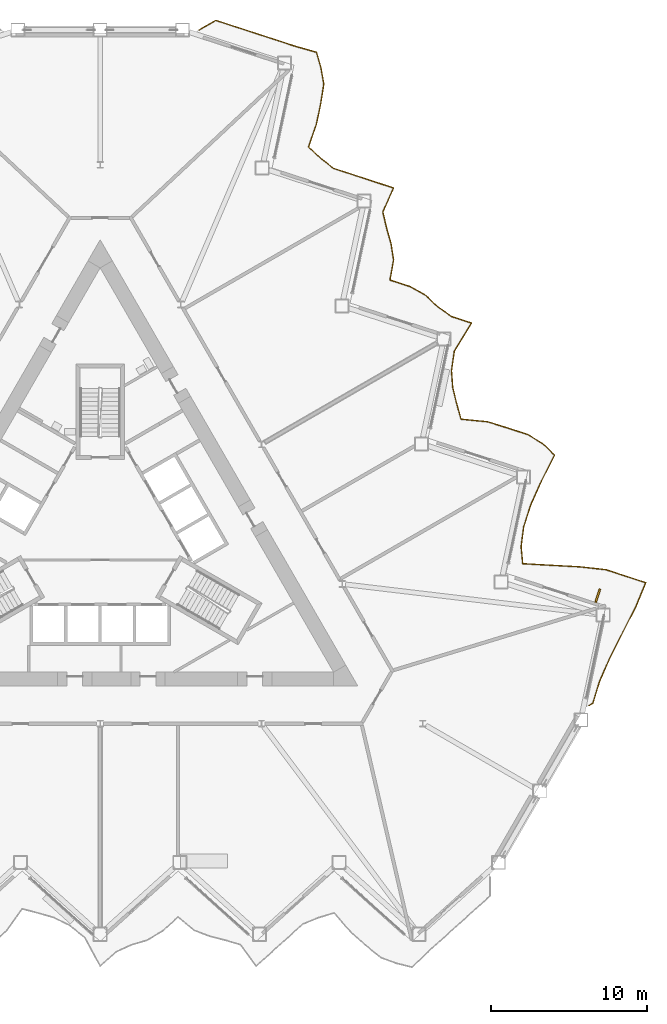
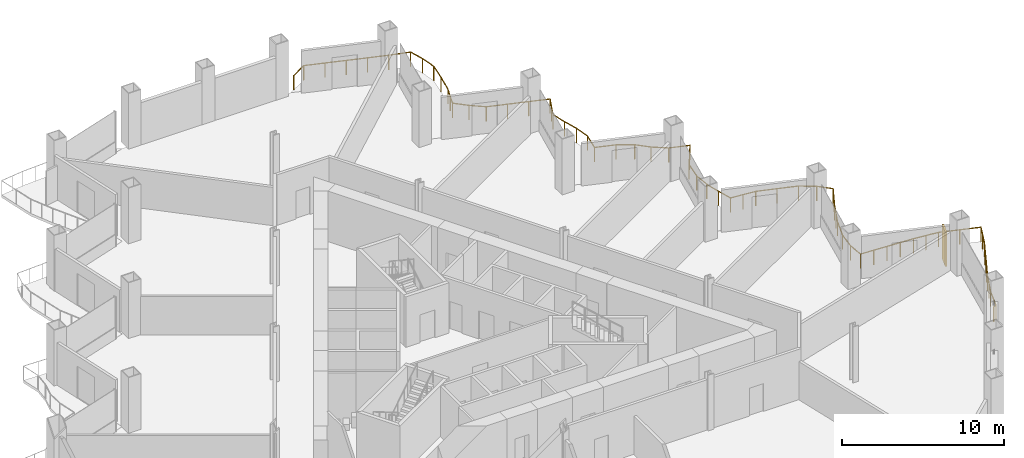
# One storey, part 19 of 21: 1 railing, 1 shading device.
"""IFC4 building model written with IfcOpenShell, lengths in metres."""

from ifc_helpers import new_model, si_unit, direction, frame, origin, origin_2d, place, context, subcontext, project, spatial, rectangle, circle, extrude, material, layer, layer_set, type_object, element, save


model = new_model("IFC4")

# Units and contexts
model_context = context("Model", 3, precision=1e-05, world=origin(), true_north=direction((0.0, 1.0)))
body_context = subcontext(model_context, "Body", "Model", "MODEL_VIEW")
ifc_project = project(units=[si_unit("LENGTHUNIT", "METRE"), si_unit("AREAUNIT", "SQUARE_METRE"), si_unit("VOLUMEUNIT", "CUBIC_METRE"), si_unit("PLANEANGLEUNIT", "RADIAN"), si_unit("MASSUNIT", "GRAM", prefix="KILO")], contexts=[model_context])

# Site, building, storey
site_placement = place(None, origin())
site = spatial("IfcSite", under=ifc_project, at=site_placement, CompositionType="ELEMENT")
building_placement = place(site_placement, origin())
building = spatial("IfcBuilding", under=site, at=building_placement, Name="Cormorant Prow Tower", CompositionType="ELEMENT")
storey_placement = place(building_placement, frame((0.0, 0.0, 108.0)))
storey = spatial("IfcBuildingStorey", under=building, at=storey_placement, Name="L22", CompositionType="ELEMENT", Elevation=108.0)

# Railing
ifc_material_1 = material(Name="Aluminium 6063-T6", Category="aluminium")
railing_type = type_object("IfcRailingType", Name="Balcony guard 1100", PredefinedType="GUARDRAIL", material=ifc_material_1)
railing_placement = place(storey_placement, frame((31.3046875, -10.75146484375, 0.0)))
element("IfcRailing", 1, at=railing_placement, inside=storey, type_object=railing_type, Name="Balcony guard ENE", PredefinedType="GUARDRAIL", context=body_context, shape_type="SweptSolid", body=[
    extrude(circle(Radius=0.02392578125, at=origin_2d()), frame((0.0, 0.0, 1.076171875), z_axis=(0.866065156741, 0.499931139538, 0.0), x_axis=(-0.499931139538, 0.866065156741, 0.0)), (0.0, 0.0, 1.0), 0.27001953125),
    extrude(circle(Radius=0.02392578125, at=origin_2d()), frame((0.23388671875, 0.135009765625, 1.076171875), z_axis=(0.291586651415, 0.95654441858, 0.0), x_axis=(-0.95654441858, 0.291586651415, 0.0)), (0.0, 0.0, 1.0), 1.462646484375),
    extrude(circle(Radius=0.02392578125, at=origin_2d()), frame((0.660400390625, 1.5341796875, 1.076171875), z_axis=(0.402985551478, 0.915206340286, 0.0), x_axis=(-0.915206340286, 0.402985551478, 0.0)), (0.0, 0.0, 1.0), 1.689697265625),
    extrude(circle(Radius=0.02392578125, at=origin_2d()), frame((1.34130859375, 3.08056640625, 1.076171875), z_axis=(0.452229833988, 0.891901439203, 0.0), x_axis=(-0.891901439203, 0.452229833988, 0.0)), (0.0, 0.0, 1.0), 1.827392578125),
    extrude(circle(Radius=0.02392578125, at=origin_2d()), frame((2.167724609375, 4.71044921875, 1.076171875), z_axis=(0.450957610167, 0.892545367941, 0.0), x_axis=(-0.892545367941, 0.450957610167, 0.0)), (0.0, 0.0, 1.0), 1.823974609375),
    extrude(circle(Radius=0.02392578125, at=origin_2d()), frame((2.990234375, 6.33837890625, 1.076171875), z_axis=(0.384509967116, 0.923120839971, 0.0), x_axis=(-0.923120839971, 0.384509967116, 0.0)), (0.0, 0.0, 1.0), 1.64453125),
    extrude(circle(Radius=0.02392578125, at=origin_2d()), frame((3.62255859375, 7.8564453125, 1.076171875), z_axis=(-0.951036739297, 0.309077855091, 0.0), x_axis=(-0.309077855091, -0.951036739297, 0.0)), (0.0, 0.0, 1.0), 1.343505859375),
    extrude(circle(Radius=0.02392578125, at=origin_2d()), frame((2.3447265625, 8.271728515625, 1.076171875), z_axis=(-0.951054092785, 0.309024453071, 0.0), x_axis=(-0.309024453071, -0.951054092785, 0.0)), (0.0, 0.0, 1.0), 1.34375),
    extrude(circle(Radius=0.02392578125, at=origin_2d()), frame((1.066650390625, 8.68701171875, 1.076171875), z_axis=(-0.993962910713, 0.109716599144, 0.0), x_axis=(-0.109716599144, -0.993962910713, 0.0)), (0.0, 0.0, 1.0), 1.686767578125),
    extrude(circle(Radius=0.02392578125, at=origin_2d()), frame((-0.60986328125, 8.8720703125, 1.076171875), z_axis=(-0.998583356738, 0.053209770211, 0.0), x_axis=(-0.053209770211, -0.998583356738, 0.0)), (0.0, 0.0, 1.0), 1.830810546875),
    extrude(circle(Radius=0.02392578125, at=origin_2d()), frame((-2.43798828125, 8.969482421875, 1.076171875), z_axis=(-0.998366091423, 0.057141469158, 0.0), x_axis=(-0.057141469158, -0.998366091423, 0.0)), (0.0, 0.0, 1.0), 1.820068359375),
    extrude(circle(Radius=0.02392578125, at=origin_2d()), frame((-4.255126953125, 9.073486328125, 1.076171875), z_axis=(-0.093340708693, 0.995634226059, 0.0), x_axis=(-0.995634226059, -0.093340708693, 0.0)), (0.0, 0.0, 1.0), 1.0986328125),
    extrude(circle(Radius=0.02392578125, at=origin_2d()), frame((-4.357666015625, 10.167236328125, 1.076171875), z_axis=(0.126668548306, 0.991945098718, 0.0), x_axis=(-0.991945098718, 0.126668548306, 0.0)), (0.0, 0.0, 1.0), 1.254638671875),
    extrude(circle(Radius=0.02392578125, at=origin_2d()), frame((-4.19873046875, 11.411865234375, 1.076171875), z_axis=(0.304912900692, 0.952380240761, 0.0), x_axis=(-0.952380240761, 0.304912900692, 0.0)), (0.0, 0.0, 1.0), 1.4853515625),
    extrude(circle(Radius=0.02392578125, at=origin_2d()), frame((-3.745849609375, 12.826416015625, 1.076171875), z_axis=(0.409995981675, 0.91208732861, 0.0), x_axis=(-0.91208732861, 0.409995981675, 0.0)), (0.0, 0.0, 1.0), 1.707275390625),
    extrude(circle(Radius=0.02392578125, at=origin_2d()), frame((-3.0458984375, 14.383544921875, 1.076171875), z_axis=(0.453965678314, 0.891019170901, 0.0), x_axis=(-0.891019170901, 0.453965678314, 0.0)), (0.0, 0.0, 1.0), 1.833251953125),
    extrude(circle(Radius=0.02392578125, at=origin_2d()), frame((-2.213623046875, 16.01708984375, 1.076171875), z_axis=(-0.716108936136, 0.69798853256, 0.0), x_axis=(-0.69798853256, -0.716108936136, 0.0)), (0.0, 0.0, 1.0), 1.037353515625),
    extrude(circle(Radius=0.02392578125, at=origin_2d()), frame((-2.95654296875, 16.7412109375, 1.076171875), z_axis=(-0.852968410434, 0.521962537737, 0.0), x_axis=(-0.521962537737, -0.852968410434, 0.0)), (0.0, 0.0, 1.0), 1.13671875),
    extrude(circle(Radius=0.02392578125, at=origin_2d()), frame((-3.926025390625, 17.33447265625, 1.076171875), z_axis=(-0.951036739297, 0.309077855091, 0.0), x_axis=(-0.309077855091, -0.951036739297, 0.0)), (0.0, 0.0, 1.0), 1.343505859375),
    extrude(circle(Radius=0.02392578125, at=origin_2d()), frame((-5.203857421875, 17.749755859375, 1.076171875), z_axis=(-0.954200907725, 0.29916655511, 0.0), x_axis=(-0.29916655511, -0.954200907725, 0.0)), (0.0, 0.0, 1.0), 1.356201171875),
    extrude(circle(Radius=0.02392578125, at=origin_2d()), frame((-6.498046875, 18.155517578125, 1.076171875), z_axis=(-0.995238003396, 0.097474697216, 0.0), x_axis=(-0.097474697216, -0.995238003396, 0.0)), (0.0, 0.0, 1.0), 1.715576171875),
    extrude(circle(Radius=0.02392578125, at=origin_2d()), frame((-8.20556640625, 18.32275390625, 1.076171875), z_axis=(-0.267802620722, 0.963473796392, 0.0), x_axis=(-0.963473796392, -0.267802620722, 0.0)), (0.0, 0.0, 1.0), 1.031005859375),
    extrude(circle(Radius=0.02392578125, at=origin_2d()), frame((-8.481689453125, 19.316162109375, 1.076171875), z_axis=(-0.241816729788, 0.970321941005, 0.0), x_axis=(-0.970321941005, -0.241816729788, 0.0)), (0.0, 0.0, 1.0), 1.038818359375),
    extrude(circle(Radius=0.02392578125, at=origin_2d()), frame((-8.73291015625, 20.32421875, 1.076171875), z_axis=(-0.073750047169, 0.997276757246, 0.0), x_axis=(-0.997276757246, -0.073750047169, 0.0)), (0.0, 0.0, 1.0), 1.10888671875),
    extrude(circle(Radius=0.02392578125, at=origin_2d()), frame((-8.814697265625, 21.43017578125, 1.076171875), z_axis=(0.14587475926, 0.989303065097, 0.0), x_axis=(-0.989303065097, 0.14587475926, 0.0)), (0.0, 0.0, 1.0), 1.273681640625),
    extrude(circle(Radius=0.02392578125, at=origin_2d()), frame((-8.62890625, 22.690185546875, 1.076171875), z_axis=(0.523271935996, 0.85216575911, 0.0), x_axis=(-0.85216575911, 0.523271935996, 0.0)), (0.0, 0.0, 1.0), 2.09619140625),
    extrude(circle(Radius=0.02392578125, at=origin_2d()), frame((-7.531982421875, 24.4765625, 1.076171875), z_axis=(-0.951036739297, 0.309077855091, 0.0), x_axis=(-0.309077855091, -0.951036739297, 0.0)), (0.0, 0.0, 1.0), 1.343505859375),
    extrude(circle(Radius=0.02392578125, at=origin_2d()), frame((-8.809814453125, 24.891845703125, 1.076171875), z_axis=(-0.817686528854, 0.575663739114, 0.0), x_axis=(-0.575663739114, -0.817686528854, 0.0)), (0.0, 0.0, 1.0), 1.1005859375),
    extrude(circle(Radius=0.02392578125, at=origin_2d()), frame((-9.709716796875, 25.525390625, 1.076171875), z_axis=(-0.722886478011, 0.690966815346, 0.0), x_axis=(-0.690966815346, -0.722886478011, 0.0)), (0.0, 0.0, 1.0), 1.040283203125),
    extrude(circle(Radius=0.02392578125, at=origin_2d()), frame((-10.461669921875, 26.244140625, 1.076171875), z_axis=(-0.872046754609, 0.489422575875, 0.0), x_axis=(-0.489422575875, -0.872046754609, 0.0)), (0.0, 0.0, 1.0), 1.161376953125),
    extrude(circle(Radius=0.02392578125, at=origin_2d()), frame((-11.474365234375, 26.8125, 1.076171875), z_axis=(-0.951036739297, 0.309077855091, 0.0), x_axis=(-0.309077855091, -0.951036739297, 0.0)), (0.0, 0.0, 1.0), 1.343505859375),
    extrude(circle(Radius=0.02392578125, at=origin_2d()), frame((-12.752197265625, 27.227783203125, 1.076171875), z_axis=(0.177521838978, 0.984116861295, 0.0), x_axis=(-0.984116861295, 0.177521838978, 0.0)), (0.0, 0.0, 1.0), 1.307861328125),
    extrude(circle(Radius=0.02392578125, at=origin_2d()), frame((-12.52001953125, 28.514892578125, 1.076171875), z_axis=(-0.156619077903, 0.987659083103, 0.0), x_axis=(-0.987659083103, -0.156619077903, 0.0)), (0.0, 0.0, 1.0), 1.0693359375),
    extrude(circle(Radius=0.02392578125, at=origin_2d()), frame((-12.6875, 29.571044921875, 1.076171875), z_axis=(-0.272310045674, 0.962209560868, 0.0), x_axis=(-0.962209560868, -0.272310045674, 0.0)), (0.0, 0.0, 1.0), 1.030029296875),
    extrude(circle(Radius=0.02392578125, at=origin_2d()), frame((-12.968017578125, 30.562255859375, 1.076171875), z_axis=(-0.231493819371, 0.972836374522, 0.0), x_axis=(-0.972836374522, -0.231493819371, 0.0)), (0.0, 0.0, 1.0), 1.0419921875),
    extrude(circle(Radius=0.02392578125, at=origin_2d()), frame((-13.209228515625, 31.575927734375, 1.076171875), z_axis=(0.404371477614, 0.914594832749, 0.0), x_axis=(-0.914594832749, 0.404371477614, 0.0)), (0.0, 0.0, 1.0), 1.69287109375),
    extrude(circle(Radius=0.02392578125, at=origin_2d()), frame((-12.524658203125, 33.124267578125, 1.076171875), z_axis=(-0.951036739297, 0.309077855091, 0.0), x_axis=(-0.309077855091, -0.951036739297, 0.0)), (0.0, 0.0, 1.0), 1.343505859375),
    extrude(circle(Radius=0.02392578125, at=origin_2d()), frame((-13.802490234375, 33.53955078125, 1.076171875), z_axis=(-0.951107474865, 0.308860116002, 0.0), x_axis=(-0.308860116002, -0.951107474865, 0.0)), (0.0, 0.0, 1.0), 1.34375),
    extrude(circle(Radius=0.02392578125, at=origin_2d()), frame((-15.08056640625, 33.95458984375, 1.076171875), z_axis=(-0.951036739297, 0.309077855091, 0.0), x_axis=(-0.309077855091, -0.951036739297, 0.0)), (0.0, 0.0, 1.0), 1.343505859375),
    extrude(circle(Radius=0.02392578125, at=origin_2d()), frame((-16.3583984375, 34.369873046875, 1.076171875), z_axis=(-0.787332652632, 0.616528421162, 0.0), x_axis=(-0.616528421162, -0.787332652632, 0.0)), (0.0, 0.0, 1.0), 1.076416015625),
    extrude(circle(Radius=0.02392578125, at=origin_2d()), frame((-17.205810546875, 35.033447265625, 1.076171875), z_axis=(-0.730783032456, 0.682609814956, 0.0), x_axis=(-0.682609814956, -0.730783032456, 0.0)), (0.0, 0.0, 1.0), 1.0439453125),
    extrude(circle(Radius=0.02392578125, at=origin_2d()), frame((-17.96875, 35.74609375, 1.076171875), z_axis=(0.329183396465, 0.944266006744, 0.0), x_axis=(-0.944266006744, 0.329183396465, 0.0)), (0.0, 0.0, 1.0), 1.528564453125),
    extrude(circle(Radius=0.02392578125, at=origin_2d()), frame((-17.465576171875, 37.189453125, 1.076171875), z_axis=(0.207841372786, 0.978162544651, 0.0), x_axis=(-0.978162544651, 0.207841372786, 0.0)), (0.0, 0.0, 1.0), 1.34375),
    extrude(circle(Radius=0.02392578125, at=origin_2d()), frame((-17.186279296875, 38.50390625, 1.076171875), z_axis=(0.1553863186, 0.987853780674, 0.0), x_axis=(-0.987853780674, 0.1553863186, 0.0)), (0.0, 0.0, 1.0), 1.28369140625),
    extrude(circle(Radius=0.02392578125, at=origin_2d()), frame((-16.98681640625, 39.77197265625, 1.076171875), z_axis=(-0.172959761009, 0.984928891378, 0.0), x_axis=(-0.984928891378, -0.172959761009, 0.0)), (0.0, 0.0, 1.0), 1.06298828125),
    extrude(circle(Radius=0.02392578125, at=origin_2d()), frame((-17.170654296875, 40.81884765625, 1.076171875), z_axis=(-0.275378933409, 0.961335759781, 0.0), x_axis=(-0.961335759781, -0.275378933409, 0.0)), (0.0, 0.0, 1.0), 1.029296875),
    extrude(circle(Radius=0.02392578125, at=origin_2d()), frame((-17.4541015625, 41.808349609375, 1.076171875), z_axis=(-0.962372173334, 0.271734797168, 0.0), x_axis=(-0.271734797168, -0.962372173334, 0.0)), (0.0, 0.0, 1.0), 1.3935546875),
    extrude(circle(Radius=0.02392578125, at=origin_2d()), frame((-18.795166015625, 42.18701171875, 1.076171875), z_axis=(-0.951036739297, 0.309077855091, 0.0), x_axis=(-0.309077855091, -0.951036739297, 0.0)), (0.0, 0.0, 1.0), 1.343505859375),
    extrude(circle(Radius=0.02392578125, at=origin_2d()), frame((-20.072998046875, 42.602294921875, 1.076171875), z_axis=(-0.951054092785, 0.309024453071, 0.0), x_axis=(-0.309024453071, -0.951054092785, 0.0)), (0.0, 0.0, 1.0), 1.34375),
    extrude(circle(Radius=0.02392578125, at=origin_2d()), frame((-21.35107421875, 43.017578125, 1.076171875), z_axis=(-0.951090138855, 0.308913495616, 0.0), x_axis=(-0.308913495616, -0.951090138855, 0.0)), (0.0, 0.0, 1.0), 1.343505859375),
    extrude(circle(Radius=0.02392578125, at=origin_2d()), frame((-22.62890625, 43.4326171875, 1.076171875), z_axis=(-0.951036739297, 0.309077855091, 0.0), x_axis=(-0.309077855091, -0.951036739297, 0.0)), (0.0, 0.0, 1.0), 1.343505859375),
    extrude(circle(Radius=0.02392578125, at=origin_2d()), frame((-23.90673828125, 43.847900390625, 1.076171875), z_axis=(-0.866005645448, -0.500034220881, 0.0), x_axis=(0.500034220881, -0.866005645448, 0.0)), (0.0, 0.0, 1.0), 1.22021484375),
    extrude(circle(Radius=0.02099609375, at=origin_2d()), origin(), (0.0, 0.0, 1.0), 1.052001953125),
    extrude(circle(Radius=0.02099609375, at=origin_2d()), frame((0.23388671875, 0.135009765625, 0.0)), (0.0, 0.0, 1.0), 1.052001953125),
    extrude(circle(Radius=0.02099609375, at=origin_2d()), frame((0.660400390625, 1.5341796875, 0.0)), (0.0, 0.0, 1.0), 1.052001953125),
    extrude(circle(Radius=0.02099609375, at=origin_2d()), frame((1.0009765625, 2.307373046875, 0.0)), (0.0, 0.0, 1.0), 1.052001953125),
    extrude(circle(Radius=0.02099609375, at=origin_2d()), frame((1.34130859375, 3.08056640625, 0.0)), (0.0, 0.0, 1.0), 1.052001953125),
    extrude(circle(Radius=0.02099609375, at=origin_2d()), frame((1.75439453125, 3.8955078125, 0.0)), (0.0, 0.0, 1.0), 1.052001953125),
    extrude(circle(Radius=0.02099609375, at=origin_2d()), frame((2.167724609375, 4.71044921875, 0.0)), (0.0, 0.0, 1.0), 1.052001953125),
    extrude(circle(Radius=0.02099609375, at=origin_2d()), frame((2.5791015625, 5.5244140625, 0.0)), (0.0, 0.0, 1.0), 1.052001953125),
    extrude(circle(Radius=0.02099609375, at=origin_2d()), frame((2.990234375, 6.33837890625, 0.0)), (0.0, 0.0, 1.0), 1.052001953125),
    extrude(circle(Radius=0.02099609375, at=origin_2d()), frame((3.306396484375, 7.097412109375, 0.0)), (0.0, 0.0, 1.0), 1.052001953125),
    extrude(circle(Radius=0.02099609375, at=origin_2d()), frame((3.62255859375, 7.8564453125, 0.0)), (0.0, 0.0, 1.0), 1.052001953125),
    extrude(circle(Radius=0.02099609375, at=origin_2d()), frame((2.3447265625, 8.271728515625, 0.0)), (0.0, 0.0, 1.0), 1.052001953125),
    extrude(circle(Radius=0.02099609375, at=origin_2d()), frame((1.066650390625, 8.68701171875, 0.0)), (0.0, 0.0, 1.0), 1.052001953125),
    extrude(circle(Radius=0.02099609375, at=origin_2d()), frame((0.228515625, 8.779541015625, 0.0)), (0.0, 0.0, 1.0), 1.052001953125),
    extrude(circle(Radius=0.02099609375, at=origin_2d()), frame((-0.60986328125, 8.8720703125, 0.0)), (0.0, 0.0, 1.0), 1.052001953125),
    extrude(circle(Radius=0.02099609375, at=origin_2d()), frame((-1.52392578125, 8.9208984375, 0.0)), (0.0, 0.0, 1.0), 1.052001953125),
    extrude(circle(Radius=0.02099609375, at=origin_2d()), frame((-2.43798828125, 8.969482421875, 0.0)), (0.0, 0.0, 1.0), 1.052001953125),
    extrude(circle(Radius=0.02099609375, at=origin_2d()), frame((-3.3466796875, 9.021484375, 0.0)), (0.0, 0.0, 1.0), 1.052001953125),
    extrude(circle(Radius=0.02099609375, at=origin_2d()), frame((-4.255126953125, 9.073486328125, 0.0)), (0.0, 0.0, 1.0), 1.052001953125),
    extrude(circle(Radius=0.02099609375, at=origin_2d()), frame((-4.357666015625, 10.167236328125, 0.0)), (0.0, 0.0, 1.0), 1.052001953125),
    extrude(circle(Radius=0.02099609375, at=origin_2d()), frame((-4.19873046875, 11.411865234375, 0.0)), (0.0, 0.0, 1.0), 1.052001953125),
    extrude(circle(Radius=0.02099609375, at=origin_2d()), frame((-3.745849609375, 12.826416015625, 0.0)), (0.0, 0.0, 1.0), 1.052001953125),
    extrude(circle(Radius=0.02099609375, at=origin_2d()), frame((-3.39599609375, 13.60498046875, 0.0)), (0.0, 0.0, 1.0), 1.052001953125),
    extrude(circle(Radius=0.02099609375, at=origin_2d()), frame((-3.0458984375, 14.383544921875, 0.0)), (0.0, 0.0, 1.0), 1.052001953125),
    extrude(circle(Radius=0.02099609375, at=origin_2d()), frame((-2.6298828125, 15.2001953125, 0.0)), (0.0, 0.0, 1.0), 1.052001953125),
    extrude(circle(Radius=0.02099609375, at=origin_2d()), frame((-2.213623046875, 16.01708984375, 0.0)), (0.0, 0.0, 1.0), 1.052001953125),
    extrude(circle(Radius=0.02099609375, at=origin_2d()), frame((-2.95654296875, 16.7412109375, 0.0)), (0.0, 0.0, 1.0), 1.052001953125),
    extrude(circle(Radius=0.02099609375, at=origin_2d()), frame((-3.926025390625, 17.33447265625, 0.0)), (0.0, 0.0, 1.0), 1.052001953125),
    extrude(circle(Radius=0.02099609375, at=origin_2d()), frame((-5.203857421875, 17.749755859375, 0.0)), (0.0, 0.0, 1.0), 1.052001953125),
    extrude(circle(Radius=0.02099609375, at=origin_2d()), frame((-6.498046875, 18.155517578125, 0.0)), (0.0, 0.0, 1.0), 1.052001953125),
    extrude(circle(Radius=0.02099609375, at=origin_2d()), frame((-7.351806640625, 18.2392578125, 0.0)), (0.0, 0.0, 1.0), 1.052001953125),
    extrude(circle(Radius=0.02099609375, at=origin_2d()), frame((-8.20556640625, 18.32275390625, 0.0)), (0.0, 0.0, 1.0), 1.052001953125),
    extrude(circle(Radius=0.02099609375, at=origin_2d()), frame((-8.481689453125, 19.316162109375, 0.0)), (0.0, 0.0, 1.0), 1.052001953125),
    extrude(circle(Radius=0.02099609375, at=origin_2d()), frame((-8.73291015625, 20.32421875, 0.0)), (0.0, 0.0, 1.0), 1.052001953125),
    extrude(circle(Radius=0.02099609375, at=origin_2d()), frame((-8.814697265625, 21.43017578125, 0.0)), (0.0, 0.0, 1.0), 1.052001953125),
    extrude(circle(Radius=0.02099609375, at=origin_2d()), frame((-8.62890625, 22.690185546875, 0.0)), (0.0, 0.0, 1.0), 1.052001953125),
    extrude(circle(Radius=0.02099609375, at=origin_2d()), frame((-8.08056640625, 23.58349609375, 0.0)), (0.0, 0.0, 1.0), 1.052001953125),
    extrude(circle(Radius=0.02099609375, at=origin_2d()), frame((-7.531982421875, 24.4765625, 0.0)), (0.0, 0.0, 1.0), 1.052001953125),
    extrude(circle(Radius=0.02099609375, at=origin_2d()), frame((-8.809814453125, 24.891845703125, 0.0)), (0.0, 0.0, 1.0), 1.052001953125),
    extrude(circle(Radius=0.02099609375, at=origin_2d()), frame((-9.709716796875, 25.525390625, 0.0)), (0.0, 0.0, 1.0), 1.052001953125),
    extrude(circle(Radius=0.02099609375, at=origin_2d()), frame((-10.461669921875, 26.244140625, 0.0)), (0.0, 0.0, 1.0), 1.052001953125),
    extrude(circle(Radius=0.02099609375, at=origin_2d()), frame((-11.474365234375, 26.8125, 0.0)), (0.0, 0.0, 1.0), 1.052001953125),
    extrude(circle(Radius=0.02099609375, at=origin_2d()), frame((-12.752197265625, 27.227783203125, 0.0)), (0.0, 0.0, 1.0), 1.052001953125),
    extrude(circle(Radius=0.02099609375, at=origin_2d()), frame((-12.52001953125, 28.514892578125, 0.0)), (0.0, 0.0, 1.0), 1.052001953125),
    extrude(circle(Radius=0.02099609375, at=origin_2d()), frame((-12.6875, 29.571044921875, 0.0)), (0.0, 0.0, 1.0), 1.052001953125),
    extrude(circle(Radius=0.02099609375, at=origin_2d()), frame((-12.968017578125, 30.562255859375, 0.0)), (0.0, 0.0, 1.0), 1.052001953125),
    extrude(circle(Radius=0.02099609375, at=origin_2d()), frame((-13.209228515625, 31.575927734375, 0.0)), (0.0, 0.0, 1.0), 1.052001953125),
    extrude(circle(Radius=0.02099609375, at=origin_2d()), frame((-12.866943359375, 32.35009765625, 0.0)), (0.0, 0.0, 1.0), 1.052001953125),
    extrude(circle(Radius=0.02099609375, at=origin_2d()), frame((-12.524658203125, 33.124267578125, 0.0)), (0.0, 0.0, 1.0), 1.052001953125),
    extrude(circle(Radius=0.02099609375, at=origin_2d()), frame((-13.802490234375, 33.53955078125, 0.0)), (0.0, 0.0, 1.0), 1.052001953125),
    extrude(circle(Radius=0.02099609375, at=origin_2d()), frame((-15.08056640625, 33.95458984375, 0.0)), (0.0, 0.0, 1.0), 1.052001953125),
    extrude(circle(Radius=0.02099609375, at=origin_2d()), frame((-16.3583984375, 34.369873046875, 0.0)), (0.0, 0.0, 1.0), 1.052001953125),
    extrude(circle(Radius=0.02099609375, at=origin_2d()), frame((-17.205810546875, 35.033447265625, 0.0)), (0.0, 0.0, 1.0), 1.052001953125),
    extrude(circle(Radius=0.02099609375, at=origin_2d()), frame((-17.96875, 35.74609375, 0.0)), (0.0, 0.0, 1.0), 1.052001953125),
    extrude(circle(Radius=0.02099609375, at=origin_2d()), frame((-17.71728515625, 36.4677734375, 0.0)), (0.0, 0.0, 1.0), 1.052001953125),
    extrude(circle(Radius=0.02099609375, at=origin_2d()), frame((-17.465576171875, 37.189453125, 0.0)), (0.0, 0.0, 1.0), 1.052001953125),
    extrude(circle(Radius=0.02099609375, at=origin_2d()), frame((-17.186279296875, 38.50390625, 0.0)), (0.0, 0.0, 1.0), 1.052001953125),
    extrude(circle(Radius=0.02099609375, at=origin_2d()), frame((-16.98681640625, 39.77197265625, 0.0)), (0.0, 0.0, 1.0), 1.052001953125),
    extrude(circle(Radius=0.02099609375, at=origin_2d()), frame((-17.170654296875, 40.81884765625, 0.0)), (0.0, 0.0, 1.0), 1.052001953125),
    extrude(circle(Radius=0.02099609375, at=origin_2d()), frame((-17.4541015625, 41.808349609375, 0.0)), (0.0, 0.0, 1.0), 1.052001953125),
    extrude(circle(Radius=0.02099609375, at=origin_2d()), frame((-18.795166015625, 42.18701171875, 0.0)), (0.0, 0.0, 1.0), 1.052001953125),
    extrude(circle(Radius=0.02099609375, at=origin_2d()), frame((-20.072998046875, 42.602294921875, 0.0)), (0.0, 0.0, 1.0), 1.052001953125),
    extrude(circle(Radius=0.02099609375, at=origin_2d()), frame((-21.35107421875, 43.017578125, 0.0)), (0.0, 0.0, 1.0), 1.052001953125),
    extrude(circle(Radius=0.02099609375, at=origin_2d()), frame((-22.62890625, 43.4326171875, 0.0)), (0.0, 0.0, 1.0), 1.052001953125),
    extrude(circle(Radius=0.02099609375, at=origin_2d()), frame((-23.90673828125, 43.847900390625, 0.0)), (0.0, 0.0, 1.0), 1.052001953125),
    extrude(circle(Radius=0.02099609375, at=origin_2d()), frame((-24.96337890625, 43.23779296875, 0.0)), (0.0, 0.0, 1.0), 1.052001953125),
])

# Shading device
ifc_material_2 = material(Name="Terracotta", Category="masonry")
ifc_layer = layer(ifc_material_2, 0.1201171875)
ifc_layer_set = layer_set([ifc_layer], Name="Terracotta")
shading_device_type = type_object("IfcShadingDeviceType", Name="Terracotta baguette fin 120x900x2600", PredefinedType="USERDEFINED", material=ifc_layer_set)
shading_device_placement = place(storey_placement, frame((31.849609375, -3.726806640625, 0.0), z_axis=(0.0, 0.0, 1.0), x_axis=(-0.951056535959, 0.309016933855, 0.0)))
element("IfcShadingDevice", 2, at=shading_device_placement, inside=storey, type_object=shading_device_type, Name="Baguette fin ENE01", ObjectType="BAGUETTE", PredefinedType="USERDEFINED", context=body_context, shape_type="SweptSolid", body=[
    extrude(rectangle(XDim=0.1201171875, YDim=0.89990234375, at=origin_2d()), origin(), (0.0, 0.0, 1.0), 2.60009765625),
])

save(model, "model.ifc")
